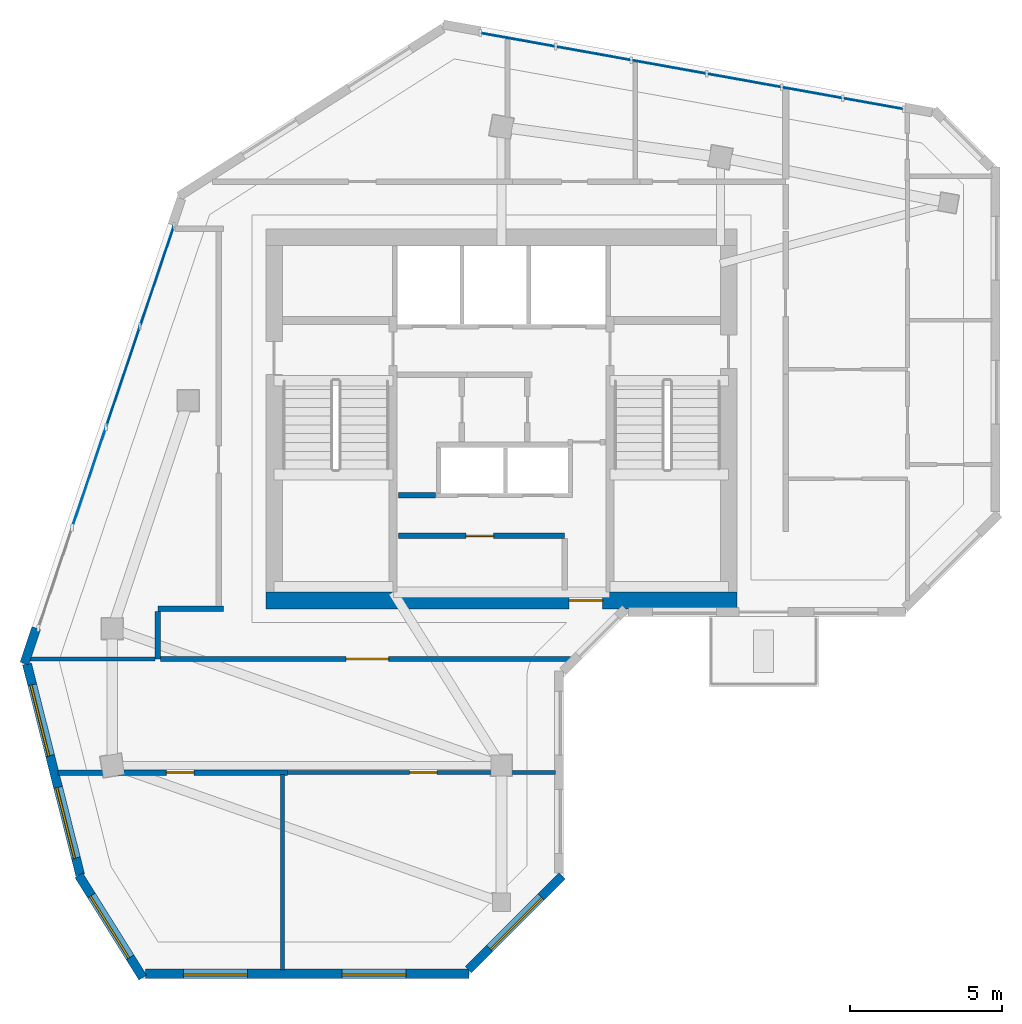
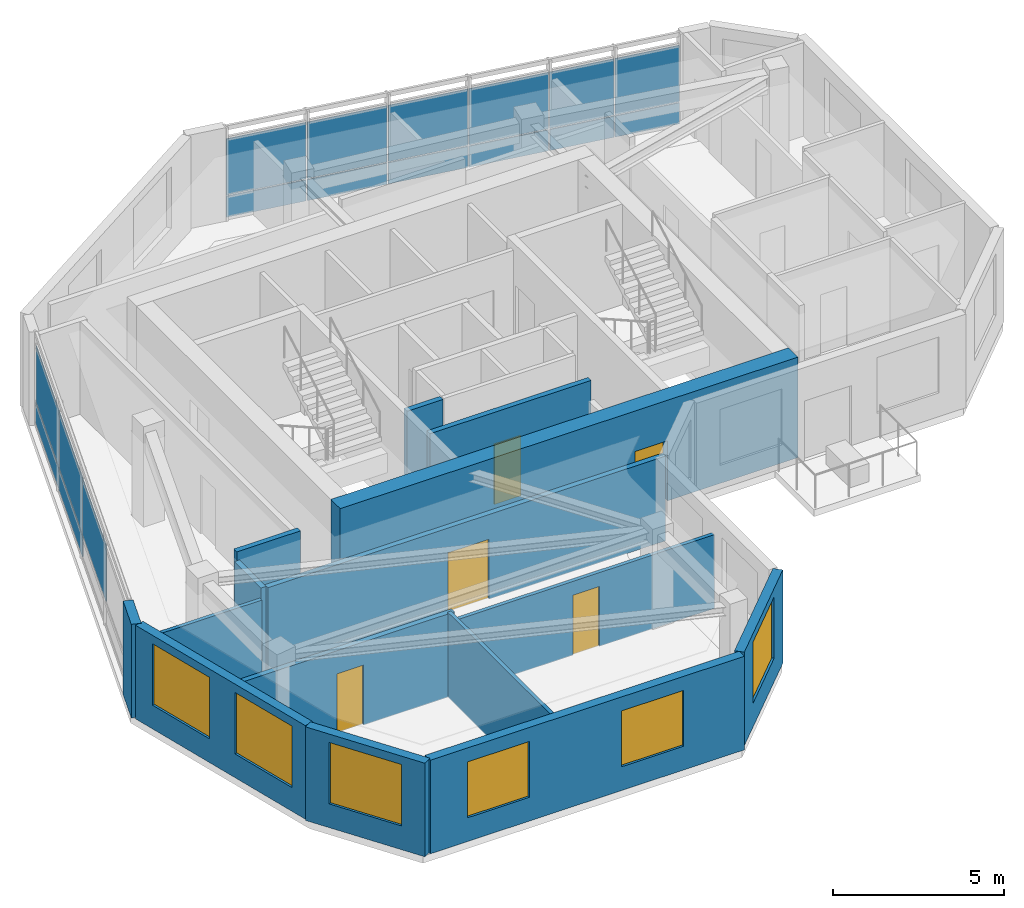
# One storey, part 2 of 7: 17 plates, 15 walls, 6 windows, 5 doors, 11 openings, 2 elements without a shape of their own.
"""IFC4 building model written with IfcOpenShell, lengths in metres."""

from ifc_helpers import new_model, si_unit, direction, frame, frame_2d, origin, place, context, subcontext, project, spatial, rectangle, extrude, source, transform, mapped, material, layer, layer_set, type_object, element, fill, aggregate, save


model = new_model("IFC4")

# Units and contexts
model_context = context("Model", 3, precision=1e-05, world=origin(), true_north=direction((0.0, 1.0)))
body_context = subcontext(model_context, "Body", "Model", "MODEL_VIEW")
ifc_project = project(units=[si_unit("LENGTHUNIT", "METRE"), si_unit("AREAUNIT", "SQUARE_METRE"), si_unit("VOLUMEUNIT", "CUBIC_METRE"), si_unit("PLANEANGLEUNIT", "RADIAN"), si_unit("MASSUNIT", "GRAM", prefix="KILO")], contexts=[model_context])

# Site, building, storey
site_placement = place(None, origin())
site = spatial("IfcSite", under=ifc_project, at=site_placement, CompositionType="ELEMENT")
building_placement = place(site_placement, origin())
building = spatial("IfcBuilding", under=site, at=building_placement, Name="Calvemar Wedge Station Tower", CompositionType="ELEMENT")
storey_placement = place(building_placement, frame((0.0, 0.0, 278.10009765625)))
storey = spatial("IfcBuildingStorey", under=building, at=storey_placement, Name="L71", CompositionType="ELEMENT", Elevation=278.10009765625)

# Curtain wall, plates
ifc_material_1 = material(Name="Anodised aluminium 6063-T6", Category="aluminium")
curtain_wall_type = type_object("IfcCurtainWallType", Name="CW6", PredefinedType="NOTDEFINED", material=ifc_material_1)
curtain_wall_1_placement = place(storey_placement, origin())
curtain_wall_1 = element("IfcCurtainWall", 1, at=curtain_wall_1_placement, inside=storey, type_object=curtain_wall_type, Name="Storey L71 CW6 Recessed Unitised Curtain Wall 10", PredefinedType="NOTDEFINED")
ifc_material_2 = material(Name="Low-E laminated insulated glass", Category="glass")
ifc_layer_1 = layer(ifc_material_2, 0.028076171875)
ifc_layer_set_1 = layer_set([ifc_layer_1], Name="Low-E laminated insulated glass")
plate_type_1 = type_object("IfcPlateType", Name="CW6-GLZ", PredefinedType="CURTAIN_PANEL", material=ifc_layer_set_1)
plate_1_placement = place(storey_placement, frame((37.01611328125, 50.08740234375, 0.869873046875), z_axis=(0.0, 0.0, 1.0), x_axis=(-0.984221146633, 0.176942743621, 0.0)))
plate_1 = element("IfcPlate", 2, at=plate_1_placement, type_object=plate_type_1, Name="CW6 vision glass panel 1", PredefinedType="CURTAIN_PANEL", context=body_context, shape_type="SweptSolid", body=[
    extrude(rectangle(XDim=2.001953125, YDim=0.028076171875, at=frame_2d((1.0009765625, 0.0))), origin(), (0.0, 0.0, 1.0), 2.010009765625),
])
plate_2_placement = place(storey_placement, frame((35.01025390625, 50.447998046875, 0.869873046875), z_axis=(0.0, 0.0, 1.0), x_axis=(-0.984224963901, 0.176921509244, 0.0)))
plate_2 = element("IfcPlate", 3, at=plate_2_placement, type_object=plate_type_1, Name="CW6 vision glass panel 2", PredefinedType="CURTAIN_PANEL", context=body_context, shape_type="SweptSolid", body=[
    extrude(rectangle(XDim=2.002197265625, YDim=0.028076171875, at=frame_2d((1.0009765625, 0.0))), origin(), (0.0, 0.0, 1.0), 2.010009765625),
])
plate_3_placement = place(storey_placement, frame((33.004150390625, 50.80859375, 0.869873046875), z_axis=(0.0, 0.0, 1.0), x_axis=(-0.984227258702, 0.176908742657, 0.0)))
plate_3 = element("IfcPlate", 4, at=plate_3_placement, type_object=plate_type_1, Name="CW6 vision glass panel 3", PredefinedType="CURTAIN_PANEL", context=body_context, shape_type="SweptSolid", body=[
    extrude(rectangle(XDim=2.478515625, YDim=0.028076171875, at=frame_2d((1.2392578125, 0.0))), origin(), (0.0, 0.0, 1.0), 2.010009765625),
])
plate_4_placement = place(storey_placement, frame((30.529296875, 51.25341796875, 0.869873046875), z_axis=(0.0, 0.0, 1.0), x_axis=(-0.984230341027, 0.176891593364, 0.0)))
plate_4 = element("IfcPlate", 5, at=plate_4_placement, type_object=plate_type_1, Name="CW6 vision glass panel 4", PredefinedType="CURTAIN_PANEL", context=body_context, shape_type="SweptSolid", body=[
    extrude(rectangle(XDim=2.478759765625, YDim=0.028076171875, at=frame_2d((1.2392578125, 0.0))), origin(), (0.0, 0.0, 1.0), 2.010009765625),
])
plate_5_placement = place(storey_placement, frame((28.05419921875, 51.6982421875, 0.869873046875), z_axis=(0.0, 0.0, 1.0), x_axis=(-0.984227429681, 0.176907791418, 0.0)))
plate_5 = element("IfcPlate", 6, at=plate_5_placement, type_object=plate_type_1, Name="CW6 vision glass panel 5", PredefinedType="CURTAIN_PANEL", context=body_context, shape_type="SweptSolid", body=[
    extrude(rectangle(XDim=2.48828125, YDim=0.028076171875, at=frame_2d((1.244140625, 0.0))), origin(), (0.0, 0.0, 1.0), 2.010009765625),
])
plate_6_placement = place(storey_placement, frame((25.56982421875, 52.14501953125, 0.869873046875), z_axis=(0.0, 0.0, 1.0), x_axis=(-0.984227429681, 0.176907791418, 0.0)))
plate_6 = element("IfcPlate", 7, at=plate_6_placement, type_object=plate_type_1, Name="CW6 vision glass panel 6", PredefinedType="CURTAIN_PANEL", context=body_context, shape_type="SweptSolid", body=[
    extrude(rectangle(XDim=2.48828125, YDim=0.028076171875, at=frame_2d((1.244140625, 0.0))), origin(), (0.0, 0.0, 1.0), 2.010009765625),
])

curtain_wall_2_placement = place(storey_placement, origin())
curtain_wall_2 = element("IfcCurtainWall", 8, at=curtain_wall_2_placement, inside=storey, type_object=curtain_wall_type, Name="Storey L71 CW6 Recessed Unitised Curtain Wall 12", PredefinedType="NOTDEFINED")
plate_7_placement = place(storey_placement, frame((13.0244140625, 46.223388671875, 0.869873046875), z_axis=(0.0, 0.0, 1.0), x_axis=(-0.319915894708, -0.947445945853, 0.0)))
plate_7 = element("IfcPlate", 9, at=plate_7_placement, type_object=plate_type_1, Name="CW6 vision glass panel 1", PredefinedType="CURTAIN_PANEL", context=body_context, shape_type="SweptSolid", body=[
    extrude(rectangle(XDim=3.453125, YDim=0.028076171875, at=frame_2d((1.7265625, 0.0))), origin(), (0.0, 0.0, 1.0), 2.010009765625),
])
plate_8_placement = place(storey_placement, frame((11.908203125, 42.91748046875, 0.869873046875), z_axis=(0.0, 0.0, 1.0), x_axis=(-0.319979356362, -0.947424514936, 0.0)))
plate_8 = element("IfcPlate", 10, at=plate_8_placement, type_object=plate_type_1, Name="CW6 vision glass panel 2", PredefinedType="CURTAIN_PANEL", context=body_context, shape_type="SweptSolid", body=[
    extrude(rectangle(XDim=3.453369140625, YDim=0.028076171875, at=frame_2d((1.7265625, 0.0))), origin(), (0.0, 0.0, 1.0), 2.010009765625),
])
plate_9_placement = place(storey_placement, frame((10.791748046875, 39.611572265625, 0.869873046875), z_axis=(0.0, 0.0, 1.0), x_axis=(-0.319915894708, -0.947445945853, 0.0)))
plate_9 = element("IfcPlate", 11, at=plate_9_placement, type_object=plate_type_1, Name="CW6 vision glass panel 3", PredefinedType="CURTAIN_PANEL", context=body_context, shape_type="SweptSolid", body=[
    extrude(rectangle(XDim=3.453125, YDim=0.028076171875, at=frame_2d((1.7265625, 0.0))), origin(), (0.0, 0.0, 1.0), 2.010009765625),
])

# Plate
ifc_material_3 = material(Name="Oxidized bronze aluminium spandrel panel 5005-H24", Category="aluminium")
ifc_layer_2 = layer(ifc_material_3, 0.0400390625)
ifc_layer_set_2 = layer_set([ifc_layer_2], Name="Oxidized bronze aluminium spandrel panel 5005-H24")
plate_type_2 = type_object("IfcPlateType", Name="CW6-SPD", PredefinedType="SHEET", material=ifc_layer_set_2)
plate_10_placement = place(storey_placement, frame((37.01611328125, 50.08740234375, 0.079833984375), z_axis=(0.0, 0.0, 1.0), x_axis=(-0.984221146633, 0.176942743621, 0.0)))
plate_10 = element("IfcPlate", 12, at=plate_10_placement, type_object=plate_type_2, Name="CW6 bronze spandrel panel 1", PredefinedType="SHEET", context=body_context, shape_type="SweptSolid", body=[
    extrude(rectangle(XDim=2.001953125, YDim=0.0400390625, at=frame_2d((1.0009765625, 0.0))), origin(), (0.0, 0.0, 1.0), 0.75),
])

plate_11_placement = place(storey_placement, frame((35.01025390625, 50.447998046875, 0.079833984375), z_axis=(0.0, 0.0, 1.0), x_axis=(-0.984224963901, 0.176921509244, 0.0)))
plate_11 = element("IfcPlate", 13, at=plate_11_placement, type_object=plate_type_2, Name="CW6 bronze spandrel panel 2", PredefinedType="SHEET", context=body_context, shape_type="SweptSolid", body=[
    extrude(rectangle(XDim=2.002197265625, YDim=0.0400390625, at=frame_2d((1.0009765625, 0.0))), origin(), (0.0, 0.0, 1.0), 0.75),
])

plate_12_placement = place(storey_placement, frame((33.004150390625, 50.80859375, 0.079833984375), z_axis=(0.0, 0.0, 1.0), x_axis=(-0.984227258702, 0.176908742657, 0.0)))
plate_12 = element("IfcPlate", 14, at=plate_12_placement, type_object=plate_type_2, Name="CW6 bronze spandrel panel 3", PredefinedType="SHEET", context=body_context, shape_type="SweptSolid", body=[
    extrude(rectangle(XDim=2.478515625, YDim=0.0400390625, at=frame_2d((1.2392578125, 0.0))), origin(), (0.0, 0.0, 1.0), 0.75),
])

plate_13_placement = place(storey_placement, frame((30.529296875, 51.25341796875, 0.079833984375), z_axis=(0.0, 0.0, 1.0), x_axis=(-0.984230341027, 0.176891593364, 0.0)))
plate_13 = element("IfcPlate", 15, at=plate_13_placement, type_object=plate_type_2, Name="CW6 bronze spandrel panel 4", PredefinedType="SHEET", context=body_context, shape_type="SweptSolid", body=[
    extrude(rectangle(XDim=2.478759765625, YDim=0.0400390625, at=frame_2d((1.2392578125, 0.0))), origin(), (0.0, 0.0, 1.0), 0.75),
])

plate_14_placement = place(storey_placement, frame((28.05419921875, 51.6982421875, 0.079833984375), z_axis=(0.0, 0.0, 1.0), x_axis=(-0.984227429681, 0.176907791418, 0.0)))
plate_14 = element("IfcPlate", 16, at=plate_14_placement, type_object=plate_type_2, Name="CW6 bronze spandrel panel 5", PredefinedType="SHEET", context=body_context, shape_type="SweptSolid", body=[
    extrude(rectangle(XDim=2.48828125, YDim=0.0400390625, at=frame_2d((1.244140625, 0.0))), origin(), (0.0, 0.0, 1.0), 0.75),
])

plate_15_placement = place(storey_placement, frame((25.56982421875, 52.14501953125, 0.079833984375), z_axis=(0.0, 0.0, 1.0), x_axis=(-0.984227429681, 0.176907791418, 0.0)))
plate_15 = element("IfcPlate", 17, at=plate_15_placement, type_object=plate_type_2, Name="CW6 bronze spandrel panel 6", PredefinedType="SHEET", context=body_context, shape_type="SweptSolid", body=[
    extrude(rectangle(XDim=2.48828125, YDim=0.0400390625, at=frame_2d((1.244140625, 0.0))), origin(), (0.0, 0.0, 1.0), 0.75),
])

aggregate(curtain_wall_1, [plate_10, plate_1, plate_11, plate_2, plate_12, plate_3, plate_13, plate_4, plate_14, plate_5, plate_15, plate_6])

plate_16_placement = place(storey_placement, frame((13.0244140625, 46.223388671875, 0.079833984375), z_axis=(0.0, 0.0, 1.0), x_axis=(-0.319915894708, -0.947445945853, 0.0)))
plate_16 = element("IfcPlate", 18, at=plate_16_placement, type_object=plate_type_2, Name="CW6 bronze spandrel panel 1", PredefinedType="SHEET", context=body_context, shape_type="SweptSolid", body=[
    extrude(rectangle(XDim=3.453125, YDim=0.0400390625, at=frame_2d((1.7265625, 0.0))), origin(), (0.0, 0.0, 1.0), 0.75),
])

plate_17_placement = place(storey_placement, frame((11.908203125, 42.91748046875, 0.079833984375), z_axis=(0.0, 0.0, 1.0), x_axis=(-0.319979356362, -0.947424514936, 0.0)))
plate_17 = element("IfcPlate", 19, at=plate_17_placement, type_object=plate_type_2, Name="CW6 bronze spandrel panel 2", PredefinedType="SHEET", context=body_context, shape_type="SweptSolid", body=[
    extrude(rectangle(XDim=3.453369140625, YDim=0.0400390625, at=frame_2d((1.7265625, 0.0))), origin(), (0.0, 0.0, 1.0), 0.75),
])

aggregate(curtain_wall_2, [plate_16, plate_7, plate_17, plate_8, plate_9])

# Wall, opening, door
ifc_material_4 = material(Name="Concrete C60", Category="concrete")
ifc_layer_3 = layer(ifc_material_4, 0.550048828125)
ifc_layer_set_3 = layer_set([ifc_layer_3], Name="Concrete C60")
wall_type_1 = type_object("IfcWallType", Name="SW-CORE-550", PredefinedType="SHEAR", material=ifc_layer_set_3)
wall_1_placement = place(storey_placement, frame((16.050048828125, 33.925048828125, 0.0), z_axis=(0.0, 0.0, 1.0), x_axis=(1.0, 0.0, 0.0)))
wall_1 = element("IfcWall", 20, at=wall_1_placement, inside=storey, type_object=wall_type_1, Name="Storey L71 Core Shear Wall S", PredefinedType="SHEAR", context=body_context, shape_type="SweptSolid", body=[
    extrude(rectangle(XDim=15.5, YDim=0.550048828125, at=frame_2d((7.75, 0.0))), origin(), (0.0, 0.0, 1.0), 3.599853515625),
])
shared_shape_1 = source(origin(), body_context, "Body", "SweptSolid", [
    extrude(rectangle(XDim=1.10009765625, YDim=2.14990234375, at=frame_2d((0.550048828125, 1.074951171875))), frame((0.0, 0.28515625, 0.0), z_axis=(0.0, -1.0, 0.0), x_axis=(1.0, 0.0, 0.0)), (0.0, 0.0, 1.0), 0.570068359375),
])
opening_1_placement = place(wall_1_placement, frame((9.97998046875, 0.0, 0.0)))
opening_1 = element("IfcOpeningElement", 21, at=opening_1_placement, cuts=wall_1, Name="Opening FD-90", PredefinedType="OPENING", context=body_context, shape_type="MappedRepresentation", body=[
    mapped(shared_shape_1, transform((0.0, 0.0, 0.0), scale=1.0)),
])
ifc_material_5 = material(Name="Galvanized fire-rated steel door leaf P-90", Category="steel")
door_type_1 = type_object("IfcDoorType", Name="DR-FD90-1100", OperationType="NOTDEFINED", PredefinedType="DOOR", material=ifc_material_5)
shared_shape_2 = source(origin(), body_context, "Body", "SweptSolid", [
    extrude(rectangle(XDim=1.10009765625, YDim=2.14990234375, at=frame_2d((0.550048828125, 1.074951171875))), frame((0.0, 0.02490234375, 0.0), z_axis=(0.0, -1.0, 0.0), x_axis=(1.0, 0.0, 0.0)), (0.0, 0.0, 1.0), 0.050048828125),
])
door_1_placement = place(opening_1_placement, origin())
door_1 = element("IfcDoor", 22, at=door_1_placement, inside=storey, type_object=door_type_1, Name="L71 Passenger Lift Lobby Door", OperationType="SINGLE_SWING_LEFT", OverallHeight=2.14990234375, OverallWidth=1.10009765625, PredefinedType="DOOR", context=body_context, shape_type="MappedRepresentation", body=[
    mapped(shared_shape_2, transform((0.0, 0.0, 0.0), scale=1.0)),
])
fill(opening_1, door_1)

# Wall
ifc_material_6 = material(Name="Double-stud fire-rated corridor partition")
ifc_layer_4 = layer(ifc_material_6, 0.179931640625)
ifc_layer_set_4 = layer_set([ifc_layer_4], Name="Double-stud fire-rated corridor partition")
wall_type_2 = type_object("IfcWallType", Name="W-CORR-180", PredefinedType="PARTITIONING", material=ifc_layer_set_4)
wall_2_placement = place(storey_placement, frame((21.6298828125, 37.3798828125, 0.0), z_axis=(0.0, 0.0, 1.0), x_axis=(-1.0, 0.0, 0.0)))
element("IfcWall", 23, at=wall_2_placement, inside=storey, type_object=wall_type_2, Name="Storey L71 Interior Partition WL-L71-004", PredefinedType="PARTITIONING", context=body_context, shape_type="SweptSolid", body=[
    extrude(rectangle(XDim=1.2099609375, YDim=0.179931640625, at=frame_2d((0.60498046875, 0.0))), origin(), (0.0, 0.0, 1.0), 3.349853515625),
])

# Wall, opening, door
wall_3_placement = place(storey_placement, frame((20.419921875, 36.050048828125, 0.0), z_axis=(0.0, 0.0, 1.0), x_axis=(1.0, 0.0, 0.0)))
wall_3 = element("IfcWall", 24, at=wall_3_placement, inside=storey, type_object=wall_type_2, Name="Storey L71 Interior Partition WL-L71-007", PredefinedType="PARTITIONING", context=body_context, shape_type="SweptSolid", body=[
    extrude(rectangle(XDim=5.4599609375, YDim=0.179931640625, at=frame_2d((2.72998046875, 0.0))), origin(), (0.0, 0.0, 1.0), 3.349853515625),
])
shared_shape_3 = source(origin(), body_context, "Body", "SweptSolid", [
    extrude(rectangle(XDim=0.89990234375, YDim=2.14990234375, at=frame_2d((0.449951171875, 1.074951171875))), frame((0.0, 0.10009765625, 0.0), z_axis=(0.0, -1.0, 0.0), x_axis=(1.0, 0.0, 0.0)), (0.0, 0.0, 1.0), 0.199951171875),
])
opening_2_placement = place(wall_3_placement, frame((2.219482421875, 0.0, 0.0)))
opening_2 = element("IfcOpeningElement", 25, at=opening_2_placement, cuts=wall_3, Name="Opening FD-60", PredefinedType="OPENING", context=body_context, shape_type="MappedRepresentation", body=[
    mapped(shared_shape_3, transform((0.0, 0.0, 0.0), scale=1.0)),
])
ifc_material_7 = material(Name="Fire-rated acoustic timber-core entrance door EI 60", Category="wood")
door_type_2 = type_object("IfcDoorType", Name="DR-FD60-900", OperationType="NOTDEFINED", PredefinedType="DOOR", material=ifc_material_7)
shared_shape_4 = source(origin(), body_context, "Body", "SweptSolid", [
    extrude(rectangle(XDim=0.89990234375, YDim=2.14990234375, at=frame_2d((0.449951171875, 1.074951171875))), frame((0.0, 0.02490234375, 0.0), z_axis=(0.0, -1.0, 0.0), x_axis=(1.0, 0.0, 0.0)), (0.0, 0.0, 1.0), 0.050048828125),
])
door_2_placement = place(opening_2_placement, origin())
door_2 = element("IfcDoor", 26, at=door_2_placement, inside=storey, type_object=door_type_2, Name="L71 Wine and Parcel Store Door", OperationType="SINGLE_SWING_LEFT", OverallHeight=2.14990234375, OverallWidth=0.89990234375, PredefinedType="DOOR", context=body_context, shape_type="MappedRepresentation", body=[
    mapped(shared_shape_4, transform((0.0, 0.0, 0.0), scale=1.0)),
])
fill(opening_2, door_2)

# Walls
wall_4_placement = place(storey_placement, frame((12.5, 33.64990234375, 0.0), z_axis=(0.0, 0.0, 1.0), x_axis=(1.0, 0.0, 0.0)))
element("IfcWall", 27, at=wall_4_placement, inside=storey, type_object=wall_type_2, Name="Storey L71 Interior Partition WL-L71-009", PredefinedType="PARTITIONING", context=body_context, shape_type="SweptSolid", body=[
    extrude(rectangle(XDim=2.159912109375, YDim=0.179931640625, at=frame_2d((1.080078125, 0.0))), origin(), (0.0, 0.0, 1.0), 3.349853515625),
])
wall_5_placement = place(storey_placement, frame((12.5, 32.0, 0.0), z_axis=(0.0, 0.0, 1.0), x_axis=(0.0, 1.0, 0.0)))
element("IfcWall", 28, at=wall_5_placement, inside=storey, type_object=wall_type_2, Name="Storey L71 Interior Partition WL-L71-010", PredefinedType="PARTITIONING", context=body_context, shape_type="SweptSolid", body=[
    extrude(rectangle(XDim=1.555908203125, YDim=0.179931640625, at=frame_2d((0.77783203125, 0.0))), origin(), (0.0, 0.0, 1.0), 3.033935546875),
])

# Wall, opening, door
wall_6_placement = place(storey_placement, frame((26.065185546875, 32.0, 0.0), z_axis=(0.0, 0.0, 1.0), x_axis=(-1.0, 0.0, 0.0)))
wall_6 = element("IfcWall", 29, at=wall_6_placement, inside=storey, type_object=wall_type_2, Name="Storey L71 Interior Partition WL-L71-011", PredefinedType="PARTITIONING", context=body_context, shape_type="SweptSolid", body=[
    extrude(rectangle(XDim=13.47119140625, YDim=0.179931640625, at=frame_2d((6.735595703125, 0.0))), origin(), (0.0, 0.0, 1.0), 3.033935546875),
])
shared_shape_5 = source(origin(), body_context, "Body", "SweptSolid", [
    extrude(rectangle(XDim=1.39990234375, YDim=2.14990234375, at=frame_2d((0.699951171875, 1.074951171875))), frame((0.0, 0.10009765625, 0.0), z_axis=(0.0, -1.0, 0.0), x_axis=(1.0, 0.0, 0.0)), (0.0, 0.0, 1.0), 0.199951171875),
])
opening_3_placement = place(wall_6_placement, frame((5.97509765625, 0.0, 0.0)))
opening_3 = element("IfcOpeningElement", 30, at=opening_3_placement, cuts=wall_6, Name="Opening DD-140", PredefinedType="OPENING", context=body_context, shape_type="MappedRepresentation", body=[
    mapped(shared_shape_5, transform((0.0, 0.0, 0.0), scale=1.0)),
])
ifc_material_8 = material(Name="Double-leaf corridor acoustic fire door EI 60")
door_type_3 = type_object("IfcDoorType", Name="DR-DBL-1400", OperationType="DOUBLE_DOOR_SINGLE_SWING", PredefinedType="DOOR", material=ifc_material_8)
shared_shape_6 = source(origin(), body_context, "Body", "SweptSolid", [
    extrude(rectangle(XDim=1.39990234375, YDim=2.14990234375, at=frame_2d((0.699951171875, 1.074951171875))), frame((0.0, 0.02490234375, 0.0), z_axis=(0.0, -1.0, 0.0), x_axis=(1.0, 0.0, 0.0)), (0.0, 0.0, 1.0), 0.050048828125),
])
door_3_placement = place(opening_3_placement, origin())
door_3 = element("IfcDoor", 31, at=door_3_placement, inside=storey, type_object=door_type_3, Name="L71 Panoramic Sky Dining Hall Door", OperationType="SINGLE_SWING_LEFT", OverallHeight=2.14990234375, OverallWidth=1.39990234375, PredefinedType="DOOR", context=body_context, shape_type="MappedRepresentation", body=[
    mapped(shared_shape_6, transform((0.0, 0.0, 0.0), scale=1.0)),
])
fill(opening_3, door_3)

wall_7_placement = place(storey_placement, frame((16.760009765625, 28.264892578125, 0.0), z_axis=(0.0, 0.0, 1.0), x_axis=(-1.0, 0.0, 0.0)))
wall_7 = element("IfcWall", 32, at=wall_7_placement, inside=storey, type_object=wall_type_2, Name="Storey L71 Interior Partition WL-L71-035", PredefinedType="PARTITIONING", context=body_context, shape_type="SweptSolid", body=[
    extrude(rectangle(XDim=7.54541015625, YDim=0.179931640625, at=frame_2d((3.772705078125, 0.0))), origin(), (0.0, 0.0, 1.0), 2.97900390625),
])
opening_4_placement = place(wall_7_placement, frame((3.0791015625, 0.0, 0.0)))
opening_4 = element("IfcOpeningElement", 33, at=opening_4_placement, cuts=wall_7, Name="Opening FD-60", PredefinedType="OPENING", context=body_context, shape_type="MappedRepresentation", body=[
    mapped(shared_shape_3, transform((0.0, 0.0, 0.0), scale=1.0)),
])
door_4_placement = place(opening_4_placement, origin())
door_4 = element("IfcDoor", 34, at=door_4_placement, inside=storey, type_object=door_type_2, Name="L71 Communal Sky Kitchen Door", OperationType="SINGLE_SWING_RIGHT", OverallHeight=2.14990234375, OverallWidth=0.89990234375, PredefinedType="DOOR", context=body_context, shape_type="MappedRepresentation", body=[
    mapped(shared_shape_4, transform((0.0, 0.0, 0.0), scale=1.0)),
])
fill(opening_4, door_4)

# Wall, opening, window
ifc_material_9 = material(Name="Precast concrete C45", Category="concrete")
ifc_layer_5 = layer(ifc_material_9, 0.300048828125)
ifc_layer_set_5 = layer_set([ifc_layer_5], Name="Precast concrete C45")
wall_type_3 = type_object("IfcWallType", Name="W-EXT-GFRC-300", PredefinedType="SOLIDWALL", material=ifc_layer_set_5)
wall_8_placement = place(storey_placement, frame((9.900146484375, 24.88671875, 0.0), z_axis=(0.0, 0.0, 1.0), x_axis=(0.530004471907, -0.84799484654, 0.0)))
wall_8 = element("IfcWall", 35, at=wall_8_placement, inside=storey, type_object=wall_type_3, Name="Storey L71 Bronze GFRC Exterior Wall 1", PredefinedType="SOLIDWALL", context=body_context, shape_type="SweptSolid", body=[
    extrude(rectangle(XDim=3.967041015625, YDim=0.300048828125, at=frame_2d((1.9833984375, 0.0))), origin(), (0.0, 0.0, 1.0), 3.349853515625),
])
shared_shape_7 = source(origin(), body_context, "Body", "SweptSolid", [
    extrude(rectangle(XDim=2.39990234375, YDim=2.199951171875, at=frame_2d((1.199951171875, 1.10009765625))), frame((0.0, 0.16015625, 0.0), z_axis=(0.0, -1.0, 0.0), x_axis=(1.0, 0.0, 0.0)), (0.0, 0.0, 1.0), 0.320068359375),
])
opening_5_placement = place(wall_8_placement, frame((0.782958984375, 0.0, 0.85009765625)))
opening_5 = element("IfcOpeningElement", 36, at=opening_5_placement, cuts=wall_8, Name="Opening W1", PredefinedType="OPENING", context=body_context, shape_type="MappedRepresentation", body=[
    mapped(shared_shape_7, transform((0.0, 0.0, 0.0), scale=1.0)),
])
window_type_1 = type_object("IfcWindowType", Name="WIN-EXT-1", PartitioningType="SINGLE_PANEL", PredefinedType="WINDOW", material=ifc_material_2)
shared_shape_8 = source(origin(), body_context, "Body", "SweptSolid", [
    extrude(rectangle(XDim=2.39990234375, YDim=2.199951171875, at=frame_2d((1.199951171875, 1.10009765625))), frame((0.0, -0.014892578125, 0.0), z_axis=(0.0, -1.0, 0.0), x_axis=(1.0, 0.0, 0.0)), (0.0, 0.0, 1.0), 0.06005859375),
])
window_1_placement = place(opening_5_placement, origin())
window_1 = element("IfcWindow", 37, at=window_1_placement, inside=storey, type_object=window_type_1, Name="Storey L71 Recessed Window 1.1", OverallHeight=2.199951171875, OverallWidth=2.39990234375, PartitioningType="SINGLE_PANEL", PredefinedType="WINDOW", context=body_context, shape_type="MappedRepresentation", body=[
    mapped(shared_shape_8, transform((0.0, 0.0, 0.0), scale=1.0)),
])
fill(opening_5, window_1)

# Wall, openings, windows
wall_9_placement = place(storey_placement, frame((12.085693359375, 21.64990234375, 0.0), z_axis=(0.0, 0.0, 1.0), x_axis=(1.0, 0.0, 0.0)))
wall_9 = element("IfcWall", 38, at=wall_9_placement, inside=storey, type_object=wall_type_3, Name="Storey L71 Bronze GFRC Exterior Wall 2", PredefinedType="SOLIDWALL", context=body_context, shape_type="SweptSolid", body=[
    extrude(rectangle(XDim=10.64208984375, YDim=0.300048828125, at=frame_2d((5.321044921875, 0.0))), origin(), (0.0, 0.0, 1.0), 3.349853515625),
])
shared_shape_9 = source(origin(), body_context, "Body", "SweptSolid", [
    extrude(rectangle(XDim=2.10009765625, YDim=2.0, at=frame_2d((1.050048828125, 1.0))), frame((0.0, 0.16015625, 0.0), z_axis=(0.0, -1.0, 0.0), x_axis=(1.0, 0.0, 0.0)), (0.0, 0.0, 1.0), 0.320068359375),
])
opening_6_placement = place(wall_9_placement, frame((1.257080078125, 0.0, 0.85009765625)))
opening_6 = element("IfcOpeningElement", 39, at=opening_6_placement, cuts=wall_9, Name="Opening W4", PredefinedType="OPENING", context=body_context, shape_type="MappedRepresentation", body=[
    mapped(shared_shape_9, transform((0.0, 0.0, 0.0), scale=1.0)),
])
opening_7_placement = place(wall_9_placement, frame((6.47802734375, 0.0, 0.85009765625)))
opening_7 = element("IfcOpeningElement", 40, at=opening_7_placement, cuts=wall_9, Name="Opening W4", PredefinedType="OPENING", context=body_context, shape_type="MappedRepresentation", body=[
    mapped(shared_shape_9, transform((0.0, 0.0, 0.0), scale=1.0)),
])
window_type_2 = type_object("IfcWindowType", Name="WIN-EXT-4", PartitioningType="SINGLE_PANEL", PredefinedType="WINDOW", material=ifc_material_2)
shared_shape_10 = source(origin(), body_context, "Body", "SweptSolid", [
    extrude(rectangle(XDim=2.10009765625, YDim=2.0, at=frame_2d((1.050048828125, 1.0))), frame((0.0, -0.014892578125, 0.0), z_axis=(0.0, -1.0, 0.0), x_axis=(1.0, 0.0, 0.0)), (0.0, 0.0, 1.0), 0.06005859375),
])
window_2_placement = place(opening_6_placement, origin())
window_2 = element("IfcWindow", 41, at=window_2_placement, inside=storey, type_object=window_type_2, Name="Storey L71 Recessed Window 2.1", OverallHeight=2.0, OverallWidth=2.10009765625, PartitioningType="SINGLE_PANEL", PredefinedType="WINDOW", context=body_context, shape_type="MappedRepresentation", body=[
    mapped(shared_shape_10, transform((0.0, 0.0, 0.0), scale=1.0)),
])
fill(opening_6, window_2)
window_3_placement = place(opening_7_placement, origin())
window_3 = element("IfcWindow", 42, at=window_3_placement, inside=storey, type_object=window_type_2, Name="Storey L71 Recessed Window 2.2", OverallHeight=2.0, OverallWidth=2.10009765625, PartitioningType="SINGLE_PANEL", PredefinedType="WINDOW", context=body_context, shape_type="MappedRepresentation", body=[
    mapped(shared_shape_10, transform((0.0, 0.0, 0.0), scale=1.0)),
])
fill(opening_7, window_3)

# Wall, opening, window
wall_10_placement = place(storey_placement, frame((22.7158203125, 21.7880859375, 0.0), z_axis=(0.0, 0.0, 1.0), x_axis=(0.707134803727, 0.707078757535, 0.0)))
wall_10 = element("IfcWall", 43, at=wall_10_placement, inside=storey, type_object=wall_type_3, Name="Storey L71 Bronze GFRC Exterior Wall 3", PredefinedType="SOLIDWALL", context=body_context, shape_type="SweptSolid", body=[
    extrude(rectangle(XDim=4.35595703125, YDim=0.300048828125, at=frame_2d((2.177978515625, 0.0))), origin(), (0.0, 0.0, 1.0), 3.349853515625),
])
opening_8_placement = place(wall_10_placement, frame((0.97802734375, 0.0, 0.85009765625)))
opening_8 = element("IfcOpeningElement", 44, at=opening_8_placement, cuts=wall_10, Name="Opening W1", PredefinedType="OPENING", context=body_context, shape_type="MappedRepresentation", body=[
    mapped(shared_shape_7, transform((0.0, 0.0, 0.0), scale=1.0)),
])
window_4_placement = place(opening_8_placement, origin())
window_4 = element("IfcWindow", 45, at=window_4_placement, inside=storey, type_object=window_type_1, Name="Storey L71 Recessed Window 3.1", OverallHeight=2.199951171875, OverallWidth=2.39990234375, PartitioningType="SINGLE_PANEL", PredefinedType="WINDOW", context=body_context, shape_type="MappedRepresentation", body=[
    mapped(shared_shape_8, transform((0.0, 0.0, 0.0), scale=1.0)),
])
fill(opening_8, window_4)

# Wall
wall_11_placement = place(storey_placement, frame((8.500244140625, 33.012451171875, 0.0), z_axis=(0.0, 0.0, 1.0), x_axis=(-0.319872574384, -0.94746057235, 0.0)))
element("IfcWall", 46, at=wall_11_placement, inside=storey, type_object=wall_type_3, Name="Storey L71 Bronze GFRC Corner Pier 12B", PredefinedType="SOLIDWALL", context=body_context, shape_type="SweptSolid", body=[
    extrude(rectangle(XDim=1.22509765625, YDim=0.300048828125, at=frame_2d((0.612548828125, 0.0))), origin(), (0.0, 0.0, 1.0), 3.349853515625),
])

# Wall, openings, windows
wall_12_placement = place(storey_placement, frame((8.1962890625, 31.834716796875, 0.0), z_axis=(0.0, 0.0, 1.0), x_axis=(0.244430846523, -0.969666726906, 0.0)))
wall_12 = element("IfcWall", 47, at=wall_12_placement, inside=storey, type_object=wall_type_3, Name="Storey L71 Bronze GFRC Exterior Wall 13", PredefinedType="SOLIDWALL", context=body_context, shape_type="SweptSolid", body=[
    extrude(rectangle(XDim=7.151611328125, YDim=0.300048828125, at=frame_2d((3.57568359375, 0.0))), origin(), (0.0, 0.0, 1.0), 3.349853515625),
])
opening_9_placement = place(wall_12_placement, frame((0.705078125, 0.0, 0.85009765625)))
opening_9 = element("IfcOpeningElement", 48, at=opening_9_placement, cuts=wall_12, Name="Opening W1", PredefinedType="OPENING", context=body_context, shape_type="MappedRepresentation", body=[
    mapped(shared_shape_7, transform((0.0, 0.0, 0.0), scale=1.0)),
])
opening_10_placement = place(wall_12_placement, frame((4.180908203125, 0.0, 0.85009765625)))
opening_10 = element("IfcOpeningElement", 49, at=opening_10_placement, cuts=wall_12, Name="Opening W1", PredefinedType="OPENING", context=body_context, shape_type="MappedRepresentation", body=[
    mapped(shared_shape_7, transform((0.0, 0.0, 0.0), scale=1.0)),
])
window_5_placement = place(opening_9_placement, origin())
window_5 = element("IfcWindow", 50, at=window_5_placement, inside=storey, type_object=window_type_1, Name="Storey L71 Recessed Window 13.1", OverallHeight=2.199951171875, OverallWidth=2.39990234375, PartitioningType="SINGLE_PANEL", PredefinedType="WINDOW", context=body_context, shape_type="MappedRepresentation", body=[
    mapped(shared_shape_8, transform((0.0, 0.0, 0.0), scale=1.0)),
])
fill(opening_9, window_5)
window_6_placement = place(opening_10_placement, origin())
window_6 = element("IfcWindow", 51, at=window_6_placement, inside=storey, type_object=window_type_1, Name="Storey L71 Recessed Window 13.2", OverallHeight=2.199951171875, OverallWidth=2.39990234375, PartitioningType="SINGLE_PANEL", PredefinedType="WINDOW", context=body_context, shape_type="MappedRepresentation", body=[
    mapped(shared_shape_8, transform((0.0, 0.0, 0.0), scale=1.0)),
])
fill(opening_10, window_6)

# Wall
ifc_material_10 = material(Name="Insulated acoustic gypsum stud partition")
ifc_layer_6 = layer(ifc_material_10, 0.125)
ifc_layer_set_6 = layer_set([ifc_layer_6], Name="Insulated acoustic gypsum stud partition")
wall_type_4 = type_object("IfcWallType", Name="W-PART-125", PredefinedType="PARTITIONING", material=ifc_layer_set_6)
wall_13_placement = place(storey_placement, frame((12.406005859375, 32.0, 0.0), z_axis=(0.0, 0.0, 1.0), x_axis=(-1.0, 0.0, 0.0)))
element("IfcWall", 52, at=wall_13_placement, inside=storey, type_object=wall_type_4, Name="Storey L71 Interior Partition WL-L71-021", PredefinedType="PARTITIONING", context=body_context, shape_type="SweptSolid", body=[
    extrude(rectangle(XDim=4.126220703125, YDim=0.125, at=frame_2d((2.06298828125, 0.0))), origin(), (0.0, 0.0, 1.0), 2.641845703125),
])

# Wall, opening, door
wall_14_placement = place(storey_placement, frame((25.574951171875, 28.264892578125, 0.0), z_axis=(0.0, 0.0, 1.0), x_axis=(-1.0, 0.0, 0.0)))
wall_14 = element("IfcWall", 53, at=wall_14_placement, inside=storey, type_object=wall_type_4, Name="Storey L71 Interior Partition WL-L71-036", PredefinedType="PARTITIONING", context=body_context, shape_type="SweptSolid", body=[
    extrude(rectangle(XDim=8.81298828125, YDim=0.125, at=frame_2d((4.406494140625, 0.0))), origin(), (0.0, 0.0, 1.0), 2.641845703125),
])
shared_shape_11 = source(origin(), body_context, "Body", "SweptSolid", [
    extrude(rectangle(XDim=0.89990234375, YDim=2.14990234375, at=frame_2d((0.449951171875, 1.074951171875))), frame((0.0, 0.072509765625, 0.0), z_axis=(0.0, -1.0, 0.0), x_axis=(1.0, 0.0, 0.0)), (0.0, 0.0, 1.0), 0.14501953125),
])
opening_11_placement = place(wall_14_placement, frame((3.896240234375, 0.0, 0.0)))
opening_11 = element("IfcOpeningElement", 54, at=opening_11_placement, cuts=wall_14, Name="Opening D-01", PredefinedType="OPENING", context=body_context, shape_type="MappedRepresentation", body=[
    mapped(shared_shape_11, transform((0.0, 0.0, 0.0), scale=1.0)),
])
ifc_material_11 = material(Name="Architectural hardwood acoustic swing door", Category="wood")
door_type_4 = type_object("IfcDoorType", Name="DR-INT-900", OperationType="NOTDEFINED", PredefinedType="DOOR", material=ifc_material_11)
shared_shape_12 = source(origin(), body_context, "Body", "SweptSolid", [
    extrude(rectangle(XDim=0.89990234375, YDim=2.14990234375, at=frame_2d((0.449951171875, 1.074951171875))), frame((0.0, 0.02490234375, 0.0), z_axis=(0.0, -1.0, 0.0), x_axis=(1.0, 0.0, 0.0)), (0.0, 0.0, 1.0), 0.050048828125),
])
door_5_placement = place(opening_11_placement, origin())
door_5 = element("IfcDoor", 55, at=door_5_placement, inside=storey, type_object=door_type_4, Name="L71 Music Salon Door", OperationType="SINGLE_SWING_LEFT", OverallHeight=2.14990234375, OverallWidth=0.89990234375, PredefinedType="DOOR", context=body_context, shape_type="MappedRepresentation", body=[
    mapped(shared_shape_12, transform((0.0, 0.0, 0.0), scale=1.0)),
])
fill(opening_11, door_5)

# Wall
wall_15_placement = place(storey_placement, frame((16.60009765625, 28.198486328125, 0.0), z_axis=(0.0, 0.0, 1.0), x_axis=(0.0, -1.0, 0.0)))
element("IfcWall", 56, at=wall_15_placement, inside=storey, type_object=wall_type_4, Name="Storey L71 Interior Partition WL-L71-037", PredefinedType="PARTITIONING", context=body_context, shape_type="SweptSolid", body=[
    extrude(rectangle(XDim=6.43359375, YDim=0.125, at=frame_2d((3.216796875, 0.0))), origin(), (0.0, 0.0, 1.0), 3.033935546875),
])

save(model, "model.ifc")
